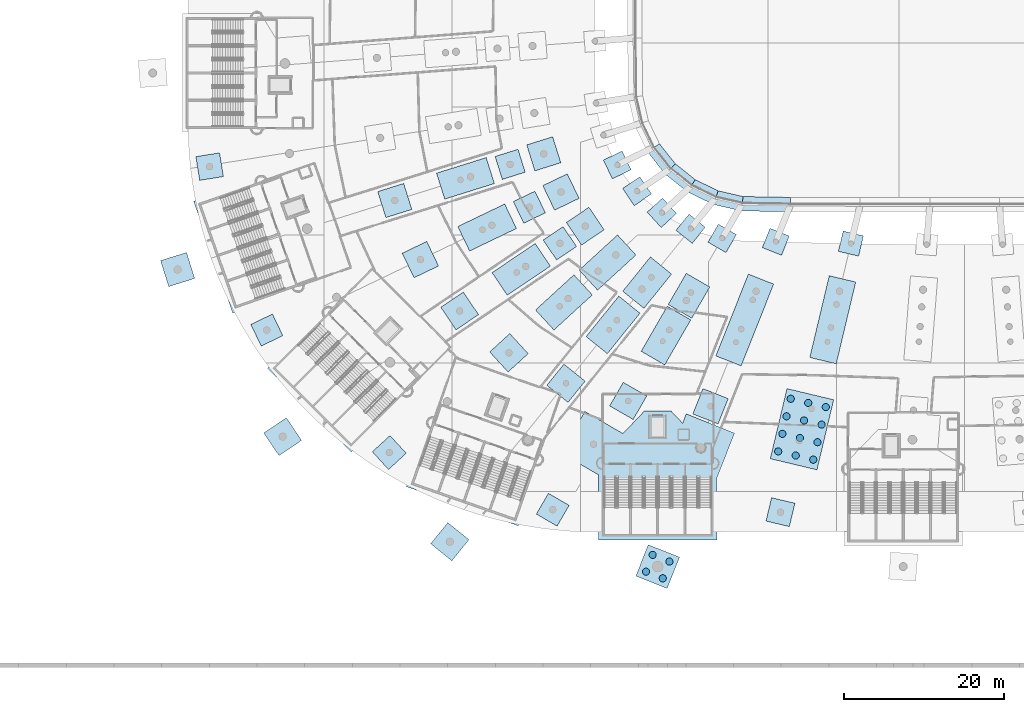
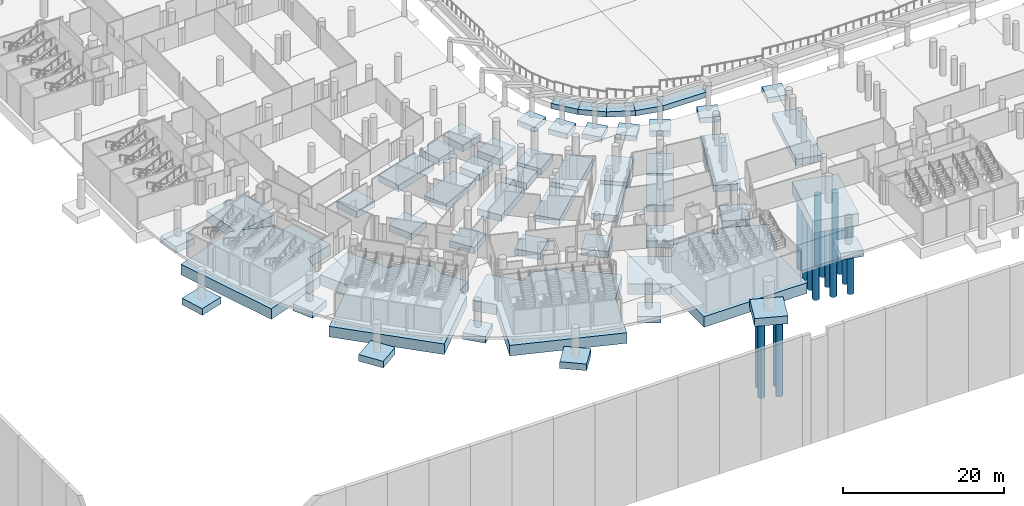
# One storey, part 1 of 142: 50 footings, 16 piles.
"""IFC4 building model written with IfcOpenShell, lengths in metres."""

from ifc_helpers import new_model, si_unit, direction, frame, origin, origin_2d, place, context, subcontext, project, spatial, polyline, circle, outline, extrude, material, material_profile, profile_set, type_object, element, save


model = new_model("IFC4")

# Units and contexts
model_context = context("Model", 3, precision=1e-05, world=origin(), true_north=direction((0.0, 1.0)))
body_context = subcontext(model_context, "Body", "Model", "MODEL_VIEW")
ifc_project = project(units=[si_unit("LENGTHUNIT", "METRE"), si_unit("AREAUNIT", "SQUARE_METRE"), si_unit("VOLUMEUNIT", "CUBIC_METRE"), si_unit("PLANEANGLEUNIT", "RADIAN"), si_unit("MASSUNIT", "GRAM", prefix="KILO")], contexts=[model_context])

# Site, building, storey
site_placement = place(None, origin())
site = spatial("IfcSite", under=ifc_project, at=site_placement, CompositionType="ELEMENT")
building_placement = place(site_placement, origin())
building = spatial("IfcBuilding", under=site, at=building_placement, Name="Meseta Stadium", CompositionType="ELEMENT")
storey_placement = place(building_placement, frame((0.0, 0.0, -4.0)))
storey = spatial("IfcBuildingStorey", under=building, at=storey_placement, Name="B1", CompositionType="ELEMENT", Elevation=-4.0)

# Piles
ifc_material_1 = material(Name="Concrete C30/37", Category="concrete")
ifc_material_profile_1 = material_profile(ifc_material_1, circle(Radius=0.449951171875, at=origin_2d()), Name="D900")
ifc_profile_set_1 = profile_set([ifc_material_profile_1], Name="Concrete C30/37")
pile_type_1 = type_object("IfcPileType", Name="Bored pile D900 A", PredefinedType="BORED", material=ifc_profile_set_1)
for number, where, z_axis, x_axis, name in (
    (1, (-21.72021484375, -84.43896484375, -2.10009765625), (0.0, 0.0, -1.0), (1.0, 0.0, 0.0), "Bored pile BP9A 45-EP-01"),
    (2, (-19.531494140625, -84.9599609375, -2.10009765625), (0.0, 0.0, -1.0), (1.0, 0.0, 0.0), "Bored pile BP9A 45-EP-02"),
    (3, (-17.342529296875, -85.481201171875, -2.10009765625), (0.0, 0.0, -1.0), (1.0, 0.0, 0.0), "Bored pile BP9A 45-EP-03"),
    (4, (-22.241455078125, -86.627685546875, -2.10009765625), (0.0, 0.0, -1.0), (1.0, 0.0, 0.0), "Bored pile BP9A 45-EP-04"),
    (5, (-20.052490234375, -87.14892578125, -2.10009765625), (0.0, 0.0, -1.0), (1.0, 0.0, 0.0), "Bored pile BP9A 45-EP-05"),
    (6, (-17.86376953125, -87.669921875, -2.10009765625), (0.0, 0.0, -1.0), (1.0, 0.0, 0.0), "Bored pile BP9A 45-EP-06"),
    (7, (-22.762451171875, -88.816650390625, -2.10009765625), (0.0, 0.0, -1.0), (1.0, 0.0, 0.0), "Bored pile BP9A 45-EP-07"),
    (8, (-20.57373046875, -89.337646484375, -2.10009765625), (0.0, 0.0, -1.0), (1.0, 0.0, 0.0), "Bored pile BP9A 45-EP-08"),
    (9, (-18.385009765625, -89.85888671875, -2.10009765625), (0.0, 0.0, -1.0), (1.0, 0.0, 0.0), "Bored pile BP9A 45-EP-09"),
    (10, (-23.28369140625, -91.00537109375, -2.10009765625), (0.0, 0.0, -1.0), (1.0, 0.0, 0.0), "Bored pile BP9A 45-EP-10"),
    (11, (-21.0947265625, -91.526611328125, -2.10009765625), (0.0, 0.0, -1.0), (1.0, 0.0, 0.0), "Bored pile BP9A 45-EP-11"),
    (12, (-18.906005859375, -92.047607421875, -2.10009765625), (0.0, 0.0, -1.0), (1.0, 0.0, 0.0), "Bored pile BP9A 45-EP-12"),
):
    element("IfcPile", number, at=place(storey_placement, frame(where, z_axis=z_axis, x_axis=x_axis)), inside=storey, type_object=pile_type_1, Name=name, PredefinedType="BORED", context=body_context, shape_type="SweptSolid", body=[
        extrude(circle(Radius=0.449951171875, at=origin_2d()), origin(), (0.0, 0.0, 1.0), 10.89990234375),
    ])
ifc_material_2 = material(Name="Concrete C30/37", Category="concrete")
ifc_material_profile_2 = material_profile(ifc_material_2, circle(Radius=0.449951171875, at=origin_2d()), Name="D900")
ifc_profile_set_2 = profile_set([ifc_material_profile_2], Name="Concrete C30/37")
pile_type_2 = type_object("IfcPileType", Name="Bored pile D900 B", PredefinedType="BORED", material=ifc_profile_set_2)
for number, where, z_axis, x_axis, name in (
    (13, (-38.964111328125, -103.939453125, -1.5), (0.0, 0.0, -1.0), (1.0, 0.0, 0.0), "Bored pile BP9B 44-R-01"),
    (14, (-36.872802734375, -104.769287109375, -1.5), (0.0, 0.0, -1.0), (1.0, 0.0, 0.0), "Bored pile BP9B 44-R-02"),
    (15, (-39.7939453125, -106.03076171875, -1.5), (0.0, 0.0, -1.0), (1.0, 0.0, 0.0), "Bored pile BP9B 44-R-03"),
    (16, (-37.70263671875, -106.860595703125, -1.5), (0.0, 0.0, -1.0), (1.0, 0.0, 0.0), "Bored pile BP9B 44-R-04"),
):
    element("IfcPile", number, at=place(storey_placement, frame(where, z_axis=z_axis, x_axis=x_axis)), inside=storey, type_object=pile_type_2, Name=name, PredefinedType="BORED", context=body_context, shape_type="SweptSolid", body=[
        extrude(circle(Radius=0.449951171875, at=origin_2d()), origin(), (0.0, 0.0, 1.0), 11.5),
    ])

# Footings
ifc_material_3 = material(Name="Concrete C30/37", Category="concrete")
footing_type_1 = type_object("IfcFootingType", Name="Combined footing 10500x3400", PredefinedType="PAD_FOOTING", material=ifc_material_3)
footing_1_placement = place(storey_placement, frame((0.0, 0.0, -1.39990234375)))
element("IfcFooting", 17, at=footing_1_placement, inside=storey, type_object=footing_type_1, Name="Footing F105.34 45-BCDU", PredefinedType="PAD_FOOTING", context=body_context, shape_type="SweptSolid", body=[
    extrude(outline(polyline([(-16.906982421875, -69.070068359375), (-19.339111328125, -79.284423828125), (-16.031494140625, -80.072021484375), (-13.599609375, -69.857421875), (-16.906982421875, -69.070068359375)])), origin(), (0.0, 0.0, 1.0), 1.0),
])
ifc_material_4 = material(Name="Concrete C30/37", Category="concrete")
footing_type_2 = type_object("IfcFootingType", Name="Combined footing 11000x3400", PredefinedType="PAD_FOOTING", material=ifc_material_4)
footing_2_placement = place(storey_placement, frame((0.0, 0.0, -1.39990234375)))
element("IfcFooting", 18, at=footing_2_placement, inside=storey, type_object=footing_type_2, Name="Footing F110.34 44-BCDU", PredefinedType="PAD_FOOTING", context=body_context, shape_type="SweptSolid", body=[
    extrude(outline(polyline([(-27.011962890625, -68.861083984375), (-31.069091796875, -79.08544921875), (-27.908935546875, -80.339599609375), (-23.8515625, -70.114990234375), (-27.011962890625, -68.861083984375)])), origin(), (0.0, 0.0, 1.0), 1.0),
])
ifc_material_5 = material(Name="Concrete C30/37", Category="concrete")
footing_type_3 = type_object("IfcFootingType", Name="Combined footing 4500x3400", PredefinedType="PAD_FOOTING", material=ifc_material_5)
footing_3_placement = place(storey_placement, frame((0.0, 0.0, -1.39990234375)))
element("IfcFooting", 19, at=footing_3_placement, inside=storey, type_object=footing_type_3, Name="Footing F45.34 43-BU", PredefinedType="PAD_FOOTING", context=body_context, shape_type="SweptSolid", body=[
    extrude(outline(polyline([(-34.768798828125, -68.773193359375), (-37.020751953125, -72.669189453125), (-34.0771484375, -74.37060546875), (-31.8251953125, -70.474609375), (-34.768798828125, -68.773193359375)])), origin(), (0.0, 0.0, 1.0), 1.0),
])
ifc_material_6 = material(Name="Concrete C30/37", Category="concrete")
footing_type_4 = type_object("IfcFootingType", Name="Combined footing 5500x3400", PredefinedType="PAD_FOOTING", material=ifc_material_6)
footing_4_placement = place(storey_placement, frame((0.0, 0.0, -1.39990234375)))
element("IfcFooting", 20, at=footing_4_placement, inside=storey, type_object=footing_type_4, Name="Footing F55.34 42-BU", PredefinedType="PAD_FOOTING", context=body_context, shape_type="SweptSolid", body=[
    extrude(outline(polyline([(-39.24609375, -66.725830078125), (-42.700439453125, -71.006103515625), (-40.0546875, -73.141357421875), (-36.600341796875, -68.861328125), (-39.24609375, -66.725830078125)])), origin(), (0.0, 0.0, 1.0), 1.0),
])
ifc_material_7 = material(Name="Concrete C30/37", Category="concrete")
footing_type_5 = type_object("IfcFootingType", Name="Combined footing 6500x3400", PredefinedType="PAD_FOOTING", material=ifc_material_7)
footing_5_placement = place(storey_placement, frame((0.0, 0.0, -1.39990234375)))
element("IfcFooting", 21, at=footing_5_placement, inside=storey, type_object=footing_type_5, Name="Footing F65.34 38-CD", PredefinedType="PAD_FOOTING", context=body_context, shape_type="SweptSolid", body=[
    extrude(outline(polyline([(-59.750732421875, -54.3154296875), (-65.953125, -56.260009765625), (-64.935791015625, -59.50439453125), (-58.733642578125, -57.559814453125), (-59.750732421875, -54.3154296875)])), origin(), (0.0, 0.0, 1.0), 1.0),
])
footing_6_placement = place(storey_placement, frame((0.0, 0.0, -1.39990234375)))
element("IfcFooting", 22, at=footing_6_placement, inside=storey, type_object=footing_type_5, Name="Footing F65.34 39-CD", PredefinedType="PAD_FOOTING", context=body_context, shape_type="SweptSolid", body=[
    extrude(outline(polyline([(-57.443359375, -60.10791015625), (-63.30126953125, -62.925048828125), (-61.82763671875, -65.989013671875), (-55.969970703125, -63.171875), (-57.443359375, -60.10791015625)])), origin(), (0.0, 0.0, 1.0), 1.0),
])
footing_7_placement = place(storey_placement, frame((0.0, 0.0, -1.39990234375)))
element("IfcFooting", 23, at=footing_7_placement, inside=storey, type_object=footing_type_5, Name="Footing F65.34 40-CD", PredefinedType="PAD_FOOTING", context=body_context, shape_type="SweptSolid", body=[
    extrude(outline(polyline([(-53.637451171875, -65.052490234375), (-59.02490234375, -68.689208984375), (-57.12255859375, -71.507080078125), (-51.735107421875, -67.870361328125), (-53.637451171875, -65.052490234375)])), origin(), (0.0, 0.0, 1.0), 1.0),
])
footing_8_placement = place(storey_placement, frame((0.0, 0.0, -1.39990234375)))
element("IfcFooting", 24, at=footing_8_placement, inside=storey, type_object=footing_type_5, Name="Footing F65.34 41-BU", PredefinedType="PAD_FOOTING", context=body_context, shape_type="SweptSolid", body=[
    extrude(outline(polyline([(-43.35009765625, -63.973388671875), (-48.14453125, -68.3623046875), (-45.848876953125, -70.8701171875), (-41.054443359375, -66.481201171875), (-43.35009765625, -63.973388671875)])), origin(), (0.0, 0.0, 1.0), 1.0),
])
footing_9_placement = place(storey_placement, frame((0.0, 0.0, -1.39990234375)))
element("IfcFooting", 25, at=footing_9_placement, inside=storey, type_object=footing_type_5, Name="Footing F65.34 41-CD", PredefinedType="PAD_FOOTING", context=body_context, shape_type="SweptSolid", body=[
    extrude(outline(polyline([(-48.795654296875, -68.958251953125), (-53.590087890625, -73.34716796875), (-51.294189453125, -75.85498046875), (-46.499755859375, -71.466064453125), (-48.795654296875, -68.958251953125)])), origin(), (0.0, 0.0, 1.0), 1.0),
])
footing_10_placement = place(storey_placement, frame((0.0, 0.0, -1.39990234375)))
element("IfcFooting", 26, at=footing_10_placement, inside=storey, type_object=footing_type_5, Name="Footing F65.34 42-CD", PredefinedType="PAD_FOOTING", context=body_context, shape_type="SweptSolid", body=[
    extrude(outline(polyline([(-43.192138671875, -71.615234375), (-47.2744140625, -76.67333984375), (-44.62841796875, -78.80859375), (-40.54638671875, -73.75048828125), (-43.192138671875, -71.615234375)])), origin(), (0.0, 0.0, 1.0), 1.0),
])
footing_11_placement = place(storey_placement, frame((0.0, 0.0, -1.39990234375)))
element("IfcFooting", 27, at=footing_11_placement, inside=storey, type_object=footing_type_5, Name="Footing F65.34 43-CD", PredefinedType="PAD_FOOTING", context=body_context, shape_type="SweptSolid", body=[
    extrude(outline(polyline([(-37.144287109375, -72.8828125), (-40.39697265625, -78.51025390625), (-37.453369140625, -80.2119140625), (-34.20068359375, -74.584228515625), (-37.144287109375, -72.8828125)])), origin(), (0.0, 0.0, 1.0), 1.0),
])
ifc_material_8 = material(Name="Concrete C30/37", Category="concrete")
footing_type_6 = type_object("IfcFootingType", Name="Pad footing 2600", PredefinedType="PAD_FOOTING", material=ifc_material_8)
footing_12_placement = place(storey_placement, frame((0.0, 0.0, -1.199951171875)))
element("IfcFooting", 28, at=footing_12_placement, inside=storey, type_object=footing_type_6, Name="Footing F26 39-A", PredefinedType="PAD_FOOTING", context=body_context, shape_type="SweptSolid", body=[
    extrude(outline(polyline([(-42.779052734375, -53.499267578125), (-45.1220703125, -54.626220703125), (-43.9951171875, -56.96923828125), (-41.652099609375, -55.84228515625), (-42.779052734375, -53.499267578125)])), origin(), (0.0, 0.0, 1.0), 0.800048828125),
])
footing_13_placement = place(storey_placement, frame((0.0, 0.0, -1.199951171875)))
element("IfcFooting", 29, at=footing_13_placement, inside=storey, type_object=footing_type_6, Name="Footing F26 40-A", PredefinedType="PAD_FOOTING", context=body_context, shape_type="SweptSolid", body=[
    extrude(outline(polyline([(-40.56640625, -56.711181640625), (-42.72119140625, -58.166015625), (-41.2666015625, -60.32080078125), (-39.11181640625, -58.8662109375), (-40.56640625, -56.711181640625)])), origin(), (0.0, 0.0, 1.0), 0.800048828125),
])
footing_14_placement = place(storey_placement, frame((0.0, 0.0, -1.199951171875)))
element("IfcFooting", 30, at=footing_14_placement, inside=storey, type_object=footing_type_6, Name="Footing F26 41-A", PredefinedType="PAD_FOOTING", context=body_context, shape_type="SweptSolid", body=[
    extrude(outline(polyline([(-37.735107421875, -59.37548828125), (-39.652587890625, -61.130859375), (-37.897216796875, -63.048583984375), (-35.9794921875, -61.293212890625), (-37.735107421875, -59.37548828125)])), origin(), (0.0, 0.0, 1.0), 0.800048828125),
])
footing_15_placement = place(storey_placement, frame((0.0, 0.0, -1.199951171875)))
element("IfcFooting", 31, at=footing_15_placement, inside=storey, type_object=footing_type_6, Name="Footing F26 42-A", PredefinedType="PAD_FOOTING", context=body_context, shape_type="SweptSolid", body=[
    extrude(outline(polyline([(-34.415283203125, -61.376708984375), (-36.048095703125, -63.39990234375), (-34.02490234375, -65.032958984375), (-32.391845703125, -63.009521484375), (-34.415283203125, -61.376708984375)])), origin(), (0.0, 0.0, 1.0), 0.800048828125),
])
footing_16_placement = place(storey_placement, frame((0.0, 0.0, -1.199951171875)))
element("IfcFooting", 32, at=footing_16_placement, inside=storey, type_object=footing_type_6, Name="Footing F26 43-A", PredefinedType="PAD_FOOTING", context=body_context, shape_type="SweptSolid", body=[
    extrude(outline(polyline([(-30.756591796875, -62.631591796875), (-32.057861328125, -64.882568359375), (-29.806884765625, -66.183837890625), (-28.505615234375, -63.932861328125), (-30.756591796875, -62.631591796875)])), origin(), (0.0, 0.0, 1.0), 0.800048828125),
])
footing_17_placement = place(storey_placement, frame((0.0, 0.0, -1.199951171875)))
element("IfcFooting", 33, at=footing_17_placement, inside=storey, type_object=footing_type_6, Name="Footing F26 44-A", PredefinedType="PAD_FOOTING", context=body_context, shape_type="SweptSolid", body=[
    extrude(outline(polyline([(-24.3134765625, -63.1455078125), (-25.2724609375, -65.562255859375), (-22.855712890625, -66.521240234375), (-21.896728515625, -64.1044921875), (-24.3134765625, -63.1455078125)])), origin(), (0.0, 0.0, 1.0), 0.800048828125),
])
footing_18_placement = place(storey_placement, frame((0.0, 0.0, -1.199951171875)))
element("IfcFooting", 34, at=footing_18_placement, inside=storey, type_object=footing_type_6, Name="Footing F26 45-A", PredefinedType="PAD_FOOTING", context=body_context, shape_type="SweptSolid", body=[
    extrude(outline(polyline([(-15.16796875, -63.492919921875), (-15.770263671875, -66.022216796875), (-13.240966796875, -66.624267578125), (-12.638671875, -64.09521484375), (-15.16796875, -63.492919921875)])), origin(), (0.0, 0.0, 1.0), 0.800048828125),
])
ifc_material_9 = material(Name="Concrete C30/37", Category="concrete")
footing_type_7 = type_object("IfcFootingType", Name="Pad footing 3000", PredefinedType="PAD_FOOTING", material=ifc_material_9)
footing_19_placement = place(storey_placement, frame((0.0, 0.0, -1.39990234375)))
element("IfcFooting", 35, at=footing_19_placement, inside=storey, type_object=footing_type_7, Name="Footing F30 37-R", PredefinedType="PAD_FOOTING", context=body_context, shape_type="SweptSolid", body=[
    extrude(outline(polyline([(-93.052001953125, -53.721923828125), (-96.013916015625, -54.19921875), (-95.536865234375, -57.160888671875), (-92.574951171875, -56.683837890625), (-93.052001953125, -53.721923828125)])), origin(), (0.0, 0.0, 1.0), 1.0),
])
footing_20_placement = place(storey_placement, frame((0.0, 0.0, -1.39990234375)))
element("IfcFooting", 36, at=footing_20_placement, inside=storey, type_object=footing_type_7, Name="Footing F30 38-U", PredefinedType="PAD_FOOTING", context=body_context, shape_type="SweptSolid", body=[
    extrude(outline(polyline([(-55.77880859375, -53.27978515625), (-58.641357421875, -54.17724609375), (-57.743896484375, -57.039794921875), (-54.88134765625, -56.142333984375), (-55.77880859375, -53.27978515625)])), origin(), (0.0, 0.0, 1.0), 1.0),
])
footing_21_placement = place(storey_placement, frame((0.0, 0.0, -1.39990234375)))
element("IfcFooting", 37, at=footing_21_placement, inside=storey, type_object=footing_type_7, Name="Footing F30 39-R", PredefinedType="PAD_FOOTING", context=body_context, shape_type="SweptSolid", body=[
    extrude(outline(polyline([(-86.44921875, -73.85498046875), (-89.152587890625, -75.155029296875), (-87.8525390625, -77.858642578125), (-85.14892578125, -76.558349609375), (-86.44921875, -73.85498046875)])), origin(), (0.0, 0.0, 1.0), 1.0),
])
footing_22_placement = place(storey_placement, frame((0.0, 0.0, -1.39990234375)))
element("IfcFooting", 38, at=footing_22_placement, inside=storey, type_object=footing_type_7, Name="Footing F30 39-U", PredefinedType="PAD_FOOTING", context=body_context, shape_type="SweptSolid", body=[
    extrude(outline(polyline([(-53.66259765625, -58.511474609375), (-56.3662109375, -59.811767578125), (-55.06591796875, -62.515380859375), (-52.3623046875, -61.215087890625), (-53.66259765625, -58.511474609375)])), origin(), (0.0, 0.0, 1.0), 1.0),
])
footing_23_placement = place(storey_placement, frame((0.0, 0.0, -1.39990234375)))
element("IfcFooting", 39, at=footing_23_placement, inside=storey, type_object=footing_type_7, Name="Footing F30 40-U", PredefinedType="PAD_FOOTING", context=body_context, shape_type="SweptSolid", body=[
    extrude(outline(polyline([(-50.14892578125, -62.938720703125), (-52.635498046875, -64.6171875), (-50.956787109375, -67.103759765625), (-48.470458984375, -65.42529296875), (-50.14892578125, -62.938720703125)])), origin(), (0.0, 0.0, 1.0), 1.0),
])
footing_24_placement = place(storey_placement, frame((0.0, 0.0, -1.39990234375)))
element("IfcFooting", 40, at=footing_24_placement, inside=storey, type_object=footing_type_7, Name="Footing F30 41-R", PredefinedType="PAD_FOOTING", context=body_context, shape_type="SweptSolid", body=[
    extrude(outline(polyline([(-71.76318359375, -89.031494140625), (-73.97607421875, -91.05712890625), (-71.9501953125, -93.27001953125), (-69.737548828125, -91.244384765625), (-71.76318359375, -89.031494140625)])), origin(), (0.0, 0.0, 1.0), 1.0),
])
footing_25_placement = place(storey_placement, frame((0.0, 0.0, -1.39990234375)))
element("IfcFooting", 41, at=footing_25_placement, inside=storey, type_object=footing_type_7, Name="Footing F30 43-R", PredefinedType="PAD_FOOTING", context=body_context, shape_type="SweptSolid", body=[
    extrude(outline(polyline([(-51.989501953125, -96.2451171875), (-53.49072265625, -98.84228515625), (-50.8935546875, -100.34375), (-49.39208984375, -97.746337890625), (-51.989501953125, -96.2451171875)])), origin(), (0.0, 0.0, 1.0), 1.0),
])
footing_26_placement = place(storey_placement, frame((0.0, 0.0, -1.39990234375)))
element("IfcFooting", 42, at=footing_26_placement, inside=storey, type_object=footing_type_7, Name="Footing F30 45-R", PredefinedType="PAD_FOOTING", context=body_context, shape_type="SweptSolid", body=[
    extrude(outline(polyline([(-24.11181640625, -96.79345703125), (-24.806640625, -99.7119140625), (-21.88818359375, -100.406494140625), (-21.193359375, -97.48828125), (-24.11181640625, -96.79345703125)])), origin(), (0.0, 0.0, 1.0), 1.0),
])
ifc_material_10 = material(Name="Concrete C30/37", Category="concrete")
footing_type_8 = type_object("IfcFootingType", Name="Pad footing 3400", PredefinedType="PAD_FOOTING", material=ifc_material_10)
footing_27_placement = place(storey_placement, frame((0.0, 0.0, -1.39990234375)))
element("IfcFooting", 43, at=footing_27_placement, inside=storey, type_object=footing_type_8, Name="Footing F34 38-B", PredefinedType="PAD_FOOTING", context=body_context, shape_type="SweptSolid", body=[
    extrude(outline(polyline([(-51.44921875, -51.712646484375), (-54.693603515625, -52.72998046875), (-53.676513671875, -55.97412109375), (-50.43212890625, -54.95703125), (-51.44921875, -51.712646484375)])), origin(), (0.0, 0.0, 1.0), 1.0),
])
footing_28_placement = place(storey_placement, frame((0.0, 0.0, -1.39990234375)))
element("IfcFooting", 44, at=footing_28_placement, inside=storey, type_object=footing_type_8, Name="Footing F34 38-E", PredefinedType="PAD_FOOTING", context=body_context, shape_type="SweptSolid", body=[
    extrude(outline(polyline([(-70.05615234375, -57.54638671875), (-73.300537109375, -58.563720703125), (-72.283203125, -61.80810546875), (-69.0390625, -60.790771484375), (-70.05615234375, -57.54638671875)])), origin(), (0.0, 0.0, 1.0), 1.0),
])
footing_29_placement = place(storey_placement, frame((0.0, 0.0, -1.39990234375)))
element("IfcFooting", 45, at=footing_29_placement, inside=storey, type_object=footing_type_8, Name="Footing F34 38-R", PredefinedType="PAD_FOOTING", context=body_context, shape_type="SweptSolid", body=[
    extrude(outline(polyline([(-97.177490234375, -66.166748046875), (-100.421875, -67.183837890625), (-99.40478515625, -70.42822265625), (-96.160400390625, -69.410888671875), (-97.177490234375, -66.166748046875)])), origin(), (0.0, 0.0, 1.0), 1.0),
])
footing_30_placement = place(storey_placement, frame((0.0, 0.0, -1.39990234375)))
element("IfcFooting", 46, at=footing_30_placement, inside=storey, type_object=footing_type_8, Name="Footing F34 39-B", PredefinedType="PAD_FOOTING", context=body_context, shape_type="SweptSolid", body=[
    extrude(outline(polyline([(-49.62109375, -56.345947265625), (-52.685302734375, -57.819580078125), (-51.211669921875, -60.883544921875), (-48.147705078125, -59.409912109375), (-49.62109375, -56.345947265625)])), origin(), (0.0, 0.0, 1.0), 1.0),
])
footing_31_placement = place(storey_placement, frame((0.0, 0.0, -1.39990234375)))
element("IfcFooting", 47, at=footing_31_placement, inside=storey, type_object=footing_type_8, Name="Footing F34 39-E", PredefinedType="PAD_FOOTING", context=body_context, shape_type="SweptSolid", body=[
    extrude(outline(polyline([(-67.17724609375, -64.7890625), (-70.2412109375, -66.2626953125), (-68.767578125, -69.32666015625), (-65.70361328125, -67.85302734375), (-67.17724609375, -64.7890625)])), origin(), (0.0, 0.0, 1.0), 1.0),
])
footing_32_placement = place(storey_placement, frame((0.0, 0.0, -1.39990234375)))
element("IfcFooting", 48, at=footing_32_placement, inside=storey, type_object=footing_type_8, Name="Footing F34 40-B", PredefinedType="PAD_FOOTING", context=body_context, shape_type="SweptSolid", body=[
    extrude(outline(polyline([(-46.923583984375, -60.52001953125), (-49.741455078125, -62.42236328125), (-47.839111328125, -65.240478515625), (-45.02099609375, -63.338134765625), (-46.923583984375, -60.52001953125)])), origin(), (0.0, 0.0, 1.0), 1.0),
])
footing_33_placement = place(storey_placement, frame((0.0, 0.0, -1.39990234375)))
element("IfcFooting", 49, at=footing_33_placement, inside=storey, type_object=footing_type_8, Name="Footing F34 40-E", PredefinedType="PAD_FOOTING", context=body_context, shape_type="SweptSolid", body=[
    extrude(outline(polyline([(-62.6103515625, -71.109619140625), (-65.42822265625, -73.011962890625), (-63.52587890625, -75.830078125), (-60.7080078125, -73.927734375), (-62.6103515625, -71.109619140625)])), origin(), (0.0, 0.0, 1.0), 1.0),
])
footing_34_placement = place(storey_placement, frame((0.0, 0.0, -1.39990234375)))
element("IfcFooting", 50, at=footing_34_placement, inside=storey, type_object=footing_type_8, Name="Footing F34 40-R", PredefinedType="PAD_FOOTING", context=body_context, shape_type="SweptSolid", body=[
    extrude(outline(polyline([(-84.7158203125, -86.8134765625), (-87.533935546875, -88.7158203125), (-85.631591796875, -91.533935546875), (-82.8134765625, -89.631591796875), (-84.7158203125, -86.8134765625)])), origin(), (0.0, 0.0, 1.0), 1.0),
])
footing_35_placement = place(storey_placement, frame((0.0, 0.0, -1.39990234375)))
element("IfcFooting", 51, at=footing_35_placement, inside=storey, type_object=footing_type_8, Name="Footing F34 41-E", PredefinedType="PAD_FOOTING", context=body_context, shape_type="SweptSolid", body=[
    extrude(outline(polyline([(-56.80908203125, -76.2939453125), (-59.31689453125, -78.589599609375), (-57.02099609375, -81.097412109375), (-54.51318359375, -78.8017578125), (-56.80908203125, -76.2939453125)])), origin(), (0.0, 0.0, 1.0), 1.0),
])
footing_36_placement = place(storey_placement, frame((0.0, 0.0, -1.39990234375)))
element("IfcFooting", 52, at=footing_36_placement, inside=storey, type_object=footing_type_8, Name="Footing F34 42-E", PredefinedType="PAD_FOOTING", context=body_context, shape_type="SweptSolid", body=[
    extrude(outline(polyline([(-50.04638671875, -80.108154296875), (-52.181640625, -82.754150390625), (-49.535888671875, -84.889404296875), (-47.400634765625, -82.24365234375), (-50.04638671875, -80.108154296875)])), origin(), (0.0, 0.0, 1.0), 1.0),
])
footing_37_placement = place(storey_placement, frame((0.0, 0.0, -1.39990234375)))
element("IfcFooting", 53, at=footing_37_placement, inside=storey, type_object=footing_type_8, Name="Footing F34 42-R", PredefinedType="PAD_FOOTING", context=body_context, shape_type="SweptSolid", body=[
    extrude(outline(polyline([(-64.552734375, -99.900634765625), (-66.68798828125, -102.54638671875), (-64.042236328125, -104.681640625), (-61.906982421875, -102.035888671875), (-64.552734375, -99.900634765625)])), origin(), (0.0, 0.0, 1.0), 1.0),
])
footing_38_placement = place(storey_placement, frame((0.0, 0.0, -1.39990234375)))
element("IfcFooting", 54, at=footing_38_placement, inside=storey, type_object=footing_type_8, Name="Footing F34 43-E", PredefinedType="PAD_FOOTING", context=body_context, shape_type="SweptSolid", body=[
    extrude(outline(polyline([(-42.63671875, -82.384765625), (-44.338134765625, -85.328369140625), (-41.394287109375, -87.02978515625), (-39.693115234375, -84.086181640625), (-42.63671875, -82.384765625)])), origin(), (0.0, 0.0, 1.0), 1.0),
])
footing_39_placement = place(storey_placement, frame((0.0, 0.0, -1.39990234375)))
element("IfcFooting", 55, at=footing_39_placement, inside=storey, type_object=footing_type_8, Name="Footing F34 44-E", PredefinedType="PAD_FOOTING", context=body_context, shape_type="SweptSolid", body=[
    extrude(outline(polyline([(-32.68994140625, -83.169677734375), (-33.944091796875, -86.329833984375), (-30.78369140625, -87.583984375), (-29.52978515625, -84.423583984375), (-32.68994140625, -83.169677734375)])), origin(), (0.0, 0.0, 1.0), 1.0),
])
ifc_material_11 = material(Name="Concrete C30/37", Category="concrete")
footing_type_9 = type_object("IfcFootingType", Name="Pile cap 4200", PredefinedType="PILE_CAP", material=ifc_material_11)
footing_40_placement = place(storey_placement, frame((0.0, 0.0, -1.60009765625)))
element("IfcFooting", 56, at=footing_40_placement, inside=storey, type_object=footing_type_9, Name="Pile cap PC42 44-R", PredefinedType="PILE_CAP", context=body_context, shape_type="SweptSolid", body=[
    extrude(outline(polyline([(-39.5107421875, -102.673583984375), (-41.059814453125, -106.577392578125), (-37.156005859375, -108.12646484375), (-35.606689453125, -104.22265625), (-39.5107421875, -102.673583984375)])), origin(), (0.0, 0.0, 1.0), 1.2001953125),
])
ifc_material_12 = material(Name="Concrete C30/37", Category="concrete")
footing_type_10 = type_object("IfcFootingType", Name="Pile cap 9000x6000", PredefinedType="PILE_CAP", material=ifc_material_12)
footing_41_placement = place(storey_placement, frame((0.0, 0.0, -2.199951171875)))
element("IfcFooting", 57, at=footing_41_placement, inside=storey, type_object=footing_type_10, Name="Pile cap PC90.60 45-EP", PredefinedType="PILE_CAP", context=body_context, shape_type="SweptSolid", body=[
    extrude(outline(polyline([(-22.189208984375, -83.1708984375), (-24.273681640625, -91.926025390625), (-18.43701171875, -93.31591796875), (-16.352294921875, -84.560546875), (-22.189208984375, -83.1708984375)])), origin(), (0.0, 0.0, 1.0), 1.800048828125),
])
ifc_material_13 = material(Name="Concrete C30/37", Category="concrete")
footing_type_11 = type_object("IfcFootingType", Name="Raft 18800x16200", PredefinedType="PAD_FOOTING", material=ifc_material_13)
footing_42_placement = place(storey_placement, frame((0.0, 0.0, -2.800048828125)))
element("IfcFooting", 58, at=footing_42_placement, inside=storey, type_object=footing_type_11, Name="Footing R188.162 39-P", PredefinedType="PAD_FOOTING", context=body_context, shape_type="SweptSolid", body=[
    extrude(outline(polyline([(-76.61767578125, -91.0830078125), (-68.98095703125, -83.4462890625), (-69.063232421875, -81.979248046875), (-67.26318359375, -80.76416015625), (-69.300537109375, -77.746337890625), (-69.41259765625, -75.74609375), (-71.74609375, -73.41259765625), (-74.632080078125, -73.2509765625), (-74.441650390625, -73.159423828125), (-77.0419921875, -67.752197265625), (-82.44921875, -70.3525390625), (-80.62060546875, -74.1552734375), (-87.0830078125, -80.61767578125), (-76.61767578125, -91.0830078125)])), origin(), (0.0, 0.0, 1.0), 1.60009765625),
])
ifc_material_14 = material(Name="Concrete C30/37", Category="concrete")
footing_type_12 = type_object("IfcFootingType", Name="Raft 19100x15700", PredefinedType="PAD_FOOTING", material=ifc_material_14)
footing_43_placement = place(storey_placement, frame((0.0, 0.0, -2.800048828125)))
element("IfcFooting", 59, at=footing_43_placement, inside=storey, type_object=footing_type_12, Name="Footing R191.157 41-P", PredefinedType="PAD_FOOTING", context=body_context, shape_type="SweptSolid", body=[
    extrude(outline(polyline([(-55.760498046875, -100.298828125), (-53.281982421875, -93.21630859375), (-49.952880859375, -89.09130859375), (-55.01123046875, -85.009033203125), (-55.510009765625, -85.627197265625), (-56.191650390625, -84.1220703125), (-59.306396484375, -83.031982421875), (-61.255126953125, -84.027587890625), (-64.43505859375, -80.553955078125), (-68.860595703125, -84.60546875), (-66.754150390625, -86.906494140625), (-69.72998046875, -95.410888671875), (-55.760498046875, -100.298828125)])), origin(), (0.0, 0.0, 1.0), 1.60009765625),
])
ifc_material_15 = material(Name="Concrete C30/37", Category="concrete")
footing_type_13 = type_object("IfcFootingType", Name="Raft 20000x16800", PredefinedType="PAD_FOOTING", material=ifc_material_15)
footing_44_placement = place(storey_placement, frame((0.0, 0.0, -2.800048828125)))
element("IfcFooting", 60, at=footing_44_placement, inside=storey, type_object=footing_type_13, Name="Footing R200.168 37-P", PredefinedType="PAD_FOOTING", context=body_context, shape_type="SweptSolid", body=[
    extrude(outline(polyline([(-91.410888671875, -73.72998046875), (-82.6328125, -70.658203125), (-81.9990234375, -66.559326171875), (-78.04638671875, -65.320068359375), (-79.990966796875, -59.117919921875), (-81.809814453125, -59.68798828125), (-82.294189453125, -58.30322265625), (-86.103515625, -57.126708984375), (-80.886474609375, -56.286376953125), (-81.84033203125, -50.36279296875), (-87.76416015625, -51.316650390625), (-86.8662109375, -56.89111328125), (-87.520751953125, -56.688720703125), (-96.298828125, -59.760498046875), (-91.410888671875, -73.72998046875)])), origin(), (0.0, 0.0, 1.0), 1.60009765625),
])
ifc_material_16 = material(Name="Concrete C30/37", Category="concrete")
footing_type_14 = type_object("IfcFootingType", Name="Raft 21700x16100", PredefinedType="PAD_FOOTING", material=ifc_material_16)
footing_45_placement = place(storey_placement, frame((0.0, 0.0, -2.800048828125)))
element("IfcFooting", 61, at=footing_45_placement, inside=storey, type_object=footing_type_14, Name="Footing R217.161 43-P", PredefinedType="PAD_FOOTING", context=body_context, shape_type="SweptSolid", body=[
    extrude(outline(polyline([(-45.7333984375, -102.10009765625), (-30.933349609375, -102.10009765625), (-30.933349609375, -94.29541015625), (-28.724365234375, -88.72900390625), (-34.76611328125, -86.33154296875), (-35.22412109375, -87.486083984375), (-36.683349609375, -85.951171875), (-39.9833984375, -85.951171875), (-42.670654296875, -88.778076171875), (-47.42919921875, -86.027587890625), (-50.431884765625, -91.22216796875), (-45.7333984375, -93.93798828125), (-45.7333984375, -102.10009765625)])), origin(), (0.0, 0.0, 1.0), 1.60009765625),
])
ifc_material_17 = material(Name="Concrete C30/37", Category="concrete")
footing_type_15 = type_object("IfcFootingType", Name="Strip footing 1800", PredefinedType="STRIP_FOOTING", material=ifc_material_17)
footing_46_placement = place(storey_placement, frame((0.0, 0.0, -1.199951171875)))
element("IfcFooting", 62, at=footing_46_placement, inside=storey, type_object=footing_type_15, Name="Strip footing pitch wall bay 40", PredefinedType="STRIP_FOOTING", context=body_context, shape_type="SweptSolid", body=[
    extrude(outline(polyline([(-39.6484375, -53.54833984375), (-37.413818359375, -56.35791015625), (-36.130859375, -55.0791015625), (-38.11376953125, -52.586181640625), (-39.6484375, -53.54833984375)])), origin(), (0.0, 0.0, 1.0), 0.800048828125),
])
footing_47_placement = place(storey_placement, frame((0.0, 0.0, -1.199951171875)))
element("IfcFooting", 63, at=footing_47_placement, inside=storey, type_object=footing_type_15, Name="Strip footing pitch wall bay 41", PredefinedType="STRIP_FOOTING", context=body_context, shape_type="SweptSolid", body=[
    extrude(outline(polyline([(-37.413818359375, -56.35791015625), (-34.611572265625, -58.6015625), (-33.644287109375, -57.0703125), (-36.130859375, -55.0791015625), (-37.413818359375, -56.35791015625)])), origin(), (0.0, 0.0, 1.0), 0.800048828125),
])
footing_48_placement = place(storey_placement, frame((0.0, 0.0, -1.199951171875)))
element("IfcFooting", 64, at=footing_48_placement, inside=storey, type_object=footing_type_15, Name="Strip footing pitch wall bay 42", PredefinedType="STRIP_FOOTING", context=body_context, shape_type="SweptSolid", body=[
    extrude(outline(polyline([(-34.611572265625, -58.6015625), (-31.381591796875, -60.167724609375), (-30.778076171875, -58.4599609375), (-33.644287109375, -57.0703125), (-34.611572265625, -58.6015625)])), origin(), (0.0, 0.0, 1.0), 0.800048828125),
])
footing_49_placement = place(storey_placement, frame((0.0, 0.0, -1.199951171875)))
element("IfcFooting", 65, at=footing_49_placement, inside=storey, type_object=footing_type_15, Name="Strip footing pitch wall bay 43", PredefinedType="STRIP_FOOTING", context=body_context, shape_type="SweptSolid", body=[
    extrude(outline(polyline([(-31.381591796875, -60.167724609375), (-27.890380859375, -60.97705078125), (-27.668701171875, -59.1806640625), (-30.778076171875, -58.4599609375), (-31.381591796875, -60.167724609375)])), origin(), (0.0, 0.0, 1.0), 0.800048828125),
])
footing_50_placement = place(storey_placement, frame((0.0, 0.0, -1.199951171875)))
element("IfcFooting", 66, at=footing_50_placement, inside=storey, type_object=footing_type_15, Name="Strip footing pitch wall bay 44", PredefinedType="STRIP_FOOTING", context=body_context, shape_type="SweptSolid", body=[
    extrude(outline(polyline([(-27.890380859375, -60.97705078125), (-21.748779296875, -61.0859375), (-21.73193359375, -59.285888671875), (-27.668701171875, -59.1806640625), (-27.890380859375, -60.97705078125)])), origin(), (0.0, 0.0, 1.0), 0.800048828125),
])

save(model, "model.ifc")
